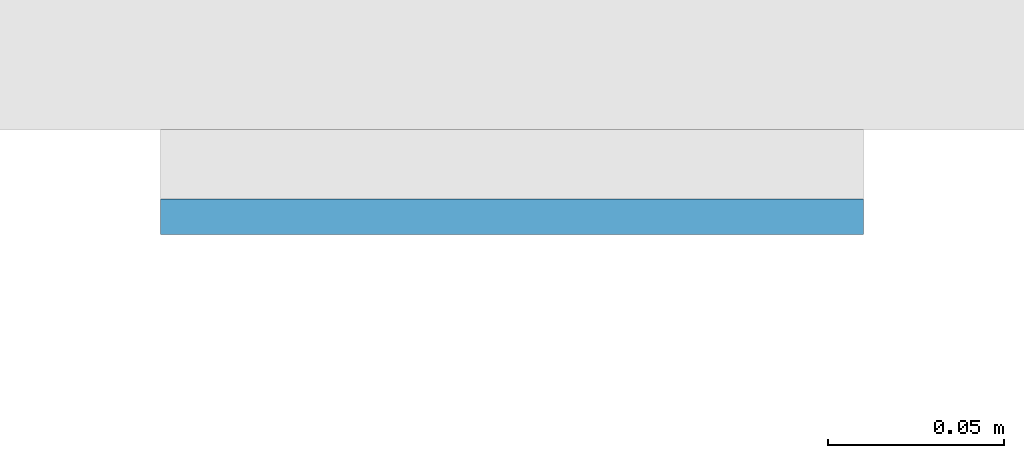
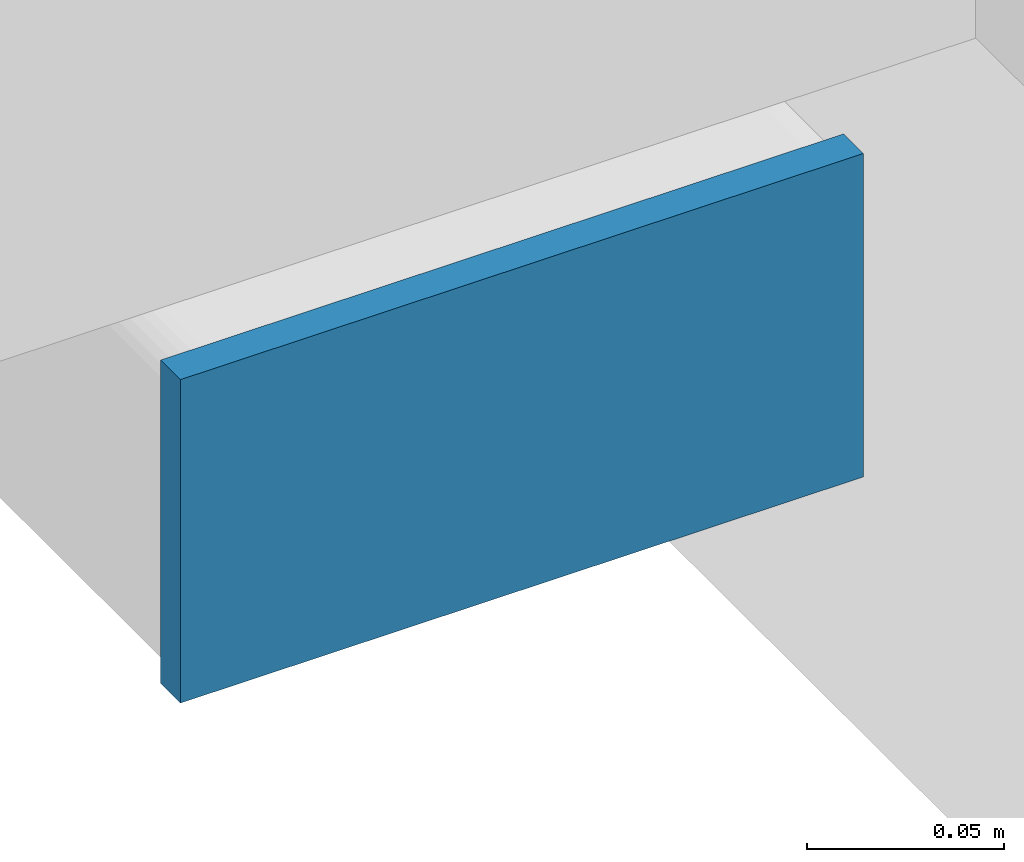
# One storey, part 8 of 20: 1 plate.
"""IFC4 building model written with IfcOpenShell, lengths in metres."""

import ifcopenshell
import ifcopenshell.guid

model = None  # the IFC model being written
_history = None  # IfcOwnerHistory: only IFC2X3 demands one
_inside = {}  # id of a spatial element -> (the spatial element, [elements in it])
_under = {}  # id of a project, library or spatial element -> (it, [spatial elements below it])
_declared = {}  # id of a project -> (the project, [libraries it declares])
_typed = {}  # id of a type object -> (the type object, [elements of that type])
_made_of = {}  # id of a material, layer set ... -> (it, [elements and type objects made of it])


def new_model(schema):
    """Start an empty IFC model of exactly this schema.

    Asked for "IFC4X3", IfcOpenShell would pick the latest addendum, in which some entities
    have other attributes; the version numbers below select the first issue.
    IFC2X3 requires an IfcOwnerHistory on every rooted entity: one is made here for all.
    """
    global model, _history
    if schema == "IFC4X3":
        model = ifcopenshell.file(schema_version=(4, 3, 0, 0))
    else:
        model = ifcopenshell.file(schema=schema)
    _inside.clear()
    _under.clear()
    _declared.clear()
    _typed.clear()
    _made_of.clear()
    _history = None
    if model.schema == "IFC2X3":
        org = make("IfcOrganization", Name="unknown")
        user = make(
            "IfcPersonAndOrganization",
            ThePerson=make("IfcPerson", FamilyName="unknown"),
            TheOrganization=org,
        )
        app = make(
            "IfcApplication",
            ApplicationDeveloper=org,
            Version="unknown",
            ApplicationFullName="unknown",
            ApplicationIdentifier="unknown",
        )
        _history = make(
            "IfcOwnerHistory",
            OwningUser=user,
            OwningApplication=app,
            ChangeAction="ADDED",
            CreationDate=0,
        )
    return model


def make(cls, **values):
    """One entity of the class cls with the attributes given. An attribute that is None is left unset."""
    return model.create_entity(
        cls, **{name: value for name, value in values.items() if value is not None}
    )


def rooted(cls, **values):
    """An entity with a GlobalId (a new one), such as an element, a storey or a relation."""
    return make(cls, GlobalId=ifcopenshell.guid.new(), OwnerHistory=_history, **values)


def si_unit(unit_type, name, prefix=None):
    """IfcSIUnit, for example si_unit("LENGTHUNIT", "METRE", prefix="MILLI")."""
    return make("IfcSIUnit", UnitType=unit_type, Prefix=prefix, Name=name)


def assignment(units):
    """IfcUnitAssignment: the units of a project."""
    return None if units is None else make("IfcUnitAssignment", Units=units)


def point(xyz):
    """IfcCartesianPoint."""
    return None if xyz is None else make("IfcCartesianPoint", Coordinates=xyz)


def direction(xyz):
    """IfcDirection."""
    return None if xyz is None else make("IfcDirection", DirectionRatios=xyz)


def frame(location, z_axis=None, x_axis=None):
    """IfcAxis2Placement3D, a coordinate frame: its origin and axes. An axis left out is left unset."""
    return make(
        "IfcAxis2Placement3D",
        Location=point(location),
        Axis=direction(z_axis),
        RefDirection=direction(x_axis),
    )


def frame_2d(location, x_axis=None):
    """IfcAxis2Placement2D, a coordinate frame in the plane: its origin and x axis."""
    return make(
        "IfcAxis2Placement2D", Location=point(location), RefDirection=direction(x_axis)
    )


def origin():
    """The frame at (0, 0, 0) with its axes left unset."""
    return frame((0.0, 0.0, 0.0))


def origin_2d():
    """The frame at (0, 0) in the plane with its x axis left unset."""
    return frame_2d((0.0, 0.0))


def place(relative_to, where):
    """IfcLocalPlacement: puts the frame where relative to a parent placement (None: the world)."""
    return make(
        "IfcLocalPlacement", PlacementRelTo=relative_to, RelativePlacement=where
    )


def context(
    kind, dimensions, precision=None, world=None, true_north=None, identifier=None
):
    """IfcGeometricRepresentationContext, for example the 3D "Model" context."""
    return make(
        "IfcGeometricRepresentationContext",
        ContextIdentifier=identifier,
        ContextType=kind,
        CoordinateSpaceDimension=dimensions,
        Precision=precision,
        WorldCoordinateSystem=world,
        TrueNorth=true_north,
    )


def subcontext(parent, identifier, kind, view, scale=None):
    """IfcGeometricRepresentationSubContext, for example "Body" below "Model"."""
    return make(
        "IfcGeometricRepresentationSubContext",
        ContextIdentifier=identifier,
        ContextType=kind,
        ParentContext=parent,
        TargetScale=scale,
        TargetView=view,
    )


def project(units=None, contexts=None):
    """IfcProject with its units and contexts."""
    return rooted(
        "IfcProject",
        Name="project",
        RepresentationContexts=contexts,
        UnitsInContext=assignment(units),
    )


def spatial(cls, under=None, at=None, **own):
    """A site, building, storey or space (cls), placed at a placement, below another one or the project."""
    s = rooted(cls, ObjectPlacement=at, **own)
    if under is not None:
        _under.setdefault(under.id(), (under, []))[1].append(s)
    return s


def profile(cls, at=None, kind="AREA", **sizes):
    """A parametric profile (cls). Its sizes go by their IFC names, for example OverallWidth=200.0."""
    return make(cls, ProfileType=kind, Position=at, **sizes)


def rectangle(**sizes):
    """IfcRectangleProfileDef."""
    return profile("IfcRectangleProfileDef", **sizes)


def extrude(swept, where, along, depth):
    """IfcExtrudedAreaSolid: the profile swept, set in the frame where, extruded along a direction by depth."""
    return make(
        "IfcExtrudedAreaSolid",
        SweptArea=swept,
        Position=where,
        ExtrudedDirection=direction(along),
        Depth=depth,
    )


def shape(context_of_items, identifier, shape_type, items):
    """IfcShapeRepresentation: the items that make up one representation, for example the "Body"."""
    return make(
        "IfcShapeRepresentation",
        ContextOfItems=context_of_items,
        RepresentationIdentifier=identifier,
        RepresentationType=shape_type,
        Items=items,
    )


def material(Name=None, Category=None):
    """IfcMaterial."""
    return make("IfcMaterial", Name=Name, Category=Category)


def layer(
    of_material, thickness, ventilated=None, Name=None, Category=None, Priority=None
):
    """IfcMaterialLayer: one layer of a wall or slab, of a material (None: an air gap)."""
    return make(
        "IfcMaterialLayer",
        Material=of_material,
        LayerThickness=thickness,
        IsVentilated=ventilated,
        Name=Name,
        Category=Category,
        Priority=Priority,
    )


def layer_set(layers, Name=None):
    """IfcMaterialLayerSet."""
    return make("IfcMaterialLayerSet", MaterialLayers=layers, LayerSetName=Name)


def made_of(thing, what):
    """Note that an element or type object is made of a material, layer set ...; save() writes the relation."""
    if what is not None:
        _made_of.setdefault(what.id(), (what, []))[1].append(thing)
    return thing


def type_object(cls, material=None, **own):
    """A type object (cls), such as IfcWallType, which elements share."""
    return made_of(rooted(cls, **own), material)


def element(
    cls,
    number,
    at=None,
    inside=None,
    cuts=None,
    type_object=None,
    material=None,
    context=None,
    identifier="Body",
    shape_type=None,
    held_by="IfcProductDefinitionShape",
    body=None,
    shapes=None,
    **own,
):
    """One element of the class cls, such as IfcWall. Its Tag is "e" and its number.

    at: its placement. inside: the storey or other place that contains it. cuts: it is an
    opening in that element (IfcRelVoidsElement). A single representation is given by context,
    identifier, shape_type and body (its items); several are given by shapes. held_by: the class
    of the entity that holds the representations. save() writes the other relations.
    """
    e = rooted(cls, Tag="e%d" % number, ObjectPlacement=at, **own)
    if body is not None:
        shapes = [shape(context, identifier, shape_type, body)]
    if shapes is not None:
        e.Representation = make(held_by, Representations=shapes)
    if inside is not None:
        _inside.setdefault(inside.id(), (inside, []))[1].append(e)
    if cuts is not None:
        rooted(
            "IfcRelVoidsElement", RelatingBuildingElement=cuts, RelatedOpeningElement=e
        )
    if type_object is not None:
        _typed.setdefault(type_object.id(), (type_object, []))[1].append(e)
    return made_of(e, material)


def aggregate(whole, parts):
    """IfcRelAggregates: a whole, such as a stair, and the parts it consists of."""
    return rooted("IfcRelAggregates", RelatingObject=whole, RelatedObjects=parts)


def save(model, path):
    """Write the relations noted so far, then the file.

    IfcRelAggregates (storeys below a building ...), IfcRelContainedInSpatialStructure (elements
    in a storey), IfcRelDefinesByType, IfcRelAssociatesMaterial and IfcRelDeclares: one each for
    every whole, place, type object, material and project.
    """
    for whole, parts in _under.values():
        aggregate(whole, parts)
    for where, things in _inside.values():
        rooted(
            "IfcRelContainedInSpatialStructure",
            RelatedElements=things,
            RelatingStructure=where,
        )
    for kind, things in _typed.values():
        rooted("IfcRelDefinesByType", RelatedObjects=things, RelatingType=kind)
    for what, things in _made_of.values():
        rooted("IfcRelAssociatesMaterial", RelatedObjects=things, RelatingMaterial=what)
    for by, libraries in _declared.values():
        rooted("IfcRelDeclares", RelatingContext=by, RelatedDefinitions=libraries)
    model.write(path)


model = new_model("IFC4")

# Units and contexts
model_context = context("Model", 3, precision=1e-05, world=origin(), true_north=direction((0.0, 1.0)))
body_context = subcontext(model_context, "Body", "Model", "MODEL_VIEW")
ifc_project = project(units=[si_unit("LENGTHUNIT", "METRE"), si_unit("AREAUNIT", "SQUARE_METRE"), si_unit("VOLUMEUNIT", "CUBIC_METRE"), si_unit("PLANEANGLEUNIT", "RADIAN"), si_unit("MASSUNIT", "GRAM", prefix="KILO")], contexts=[model_context])

# Site, building, storey
site_placement = place(None, origin())
site = spatial("IfcSite", under=ifc_project, at=site_placement, CompositionType="ELEMENT")
building_placement = place(site_placement, origin())
building = spatial("IfcBuilding", under=site, at=building_placement, Name="Cleftline Residences", CompositionType="ELEMENT")
storey_placement = place(building_placement, frame((0.0, 0.0, 146.60009765625)))
storey = spatial("IfcBuildingStorey", under=building, at=storey_placement, Name="L38", CompositionType="ELEMENT", Elevation=146.60009765625)

# Plate
ifc_material = material(Name="Steel S355, hot-dip galvanised", Category="steel")
ifc_layer = layer(ifc_material, 0.010009765625)
ifc_layer_set = layer_set([ifc_layer], Name="BAGUETTE CARRIER END PLATE 200X100X10")
plate_type = type_object("IfcPlateType", Name="BAGUETTE CARRIER END PLATE 200X100X10", PredefinedType="USERDEFINED", material=ifc_layer_set)
plate_placement = place(storey_placement, frame((-0.85009765625, 3.695068359375, -0.10009765625), z_axis=(0.0, 0.0, 1.0), x_axis=(-1.0, 0.0, 0.0)))
element("IfcPlate", 1, at=plate_placement, inside=storey, type_object=plate_type, Name="Baguette carrier end plate", ObjectType="BAGUETTE CARRIER END PLATE", PredefinedType="USERDEFINED", context=body_context, shape_type="SweptSolid", body=[
    extrude(rectangle(XDim=0.199951171875, YDim=0.010009765625, at=origin_2d()), origin(), (0.0, 0.0, 1.0), 0.10009765625),
])

save(model, "model.ifc")
